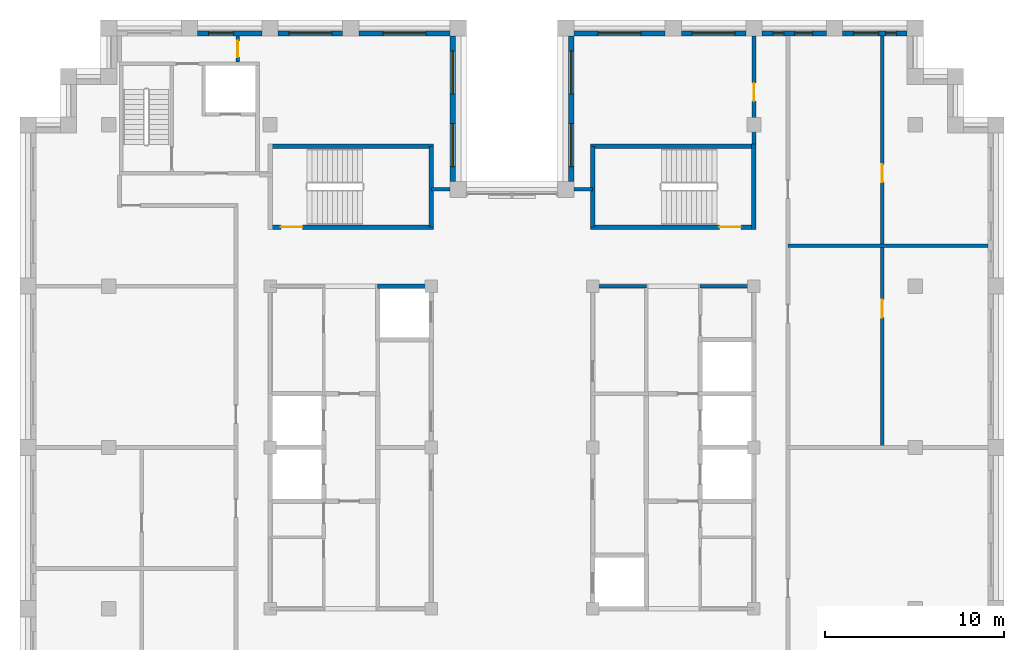
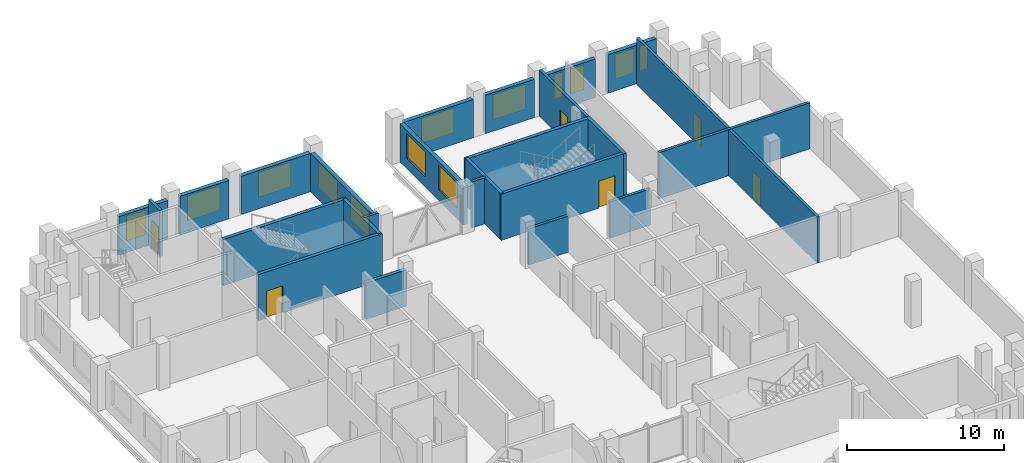
# One storey, part 10 of 13: 25 walls, 13 windows, 6 doors, 19 openings.
"""IFC4 building model written with IfcOpenShell, lengths in metres."""

from ifc_helpers import new_model, si_unit, direction, frame, frame_2d, origin, place, context, subcontext, project, spatial, rectangle, extrude, material, layer, layer_set, type_object, element, fill, save


model = new_model("IFC4")

# Units and contexts
model_context = context("Model", 3, precision=1e-05, world=origin(), true_north=direction((0.0, 1.0)))
body_context = subcontext(model_context, "Body", "Model", "MODEL_VIEW")
ifc_project = project(units=[si_unit("LENGTHUNIT", "METRE"), si_unit("AREAUNIT", "SQUARE_METRE"), si_unit("VOLUMEUNIT", "CUBIC_METRE"), si_unit("PLANEANGLEUNIT", "RADIAN"), si_unit("MASSUNIT", "GRAM", prefix="KILO")], contexts=[model_context])

# Site, building, storey
site_placement = place(None, origin())
site = spatial("IfcSite", under=ifc_project, at=site_placement, CompositionType="ELEMENT")
building_placement = place(site_placement, origin())
building = spatial("IfcBuilding", under=site, at=building_placement, Name="Corbelhall Arena Tower", CompositionType="ELEMENT")
storey_placement = place(building_placement, frame((0.0, 0.0, 316.0)))
storey = spatial("IfcBuildingStorey", under=building, at=storey_placement, Name="L69", CompositionType="ELEMENT", Elevation=316.0)

# Wall, openings, windows
ifc_material_1 = material(Name="Precast concrete C40/50 with granite facing", Category="masonry")
ifc_layer_1 = layer(ifc_material_1, 0.300048828125)
ifc_layer_set_1 = layer_set([ifc_layer_1], Name="EV-IW1 Infill panel 300")
wall_type_1 = type_object("IfcWallType", Name="EV-IW1 Infill panel 300", PredefinedType="SOLIDWALL", material=ifc_layer_set_1)
wall_1_placement = place(storey_placement, frame((22.050048828125, 23.10009765625, 0.0), z_axis=(0.0, 0.0, 1.0), x_axis=(-1.0, 0.0, 0.0)))
wall_1 = element("IfcWall", 1, at=wall_1_placement, inside=storey, type_object=wall_type_1, Name="Infill panel IW1", PredefinedType="SOLIDWALL", context=body_context, shape_type="SweptSolid", body=[
    extrude(rectangle(XDim=3.60009765625, YDim=0.300048828125, at=frame_2d((1.800048828125, 0.0))), origin(), (0.0, 0.0, 1.0), 2.989990234375),
])
opening_1_placement = place(wall_1_placement, frame((0.60009765625, 0.0, 0.800048828125)))
opening_1 = element("IfcOpeningElement", 2, at=opening_1_placement, cuts=wall_1, Name="Opening WN5", PredefinedType="OPENING", context=body_context, shape_type="SweptSolid", body=[
    extrude(rectangle(XDim=0.60009765625, YDim=1.949951171875, at=frame_2d((0.300048828125, 0.97509765625))), frame((0.0, 0.14990234375, 0.0), z_axis=(0.0, -1.0, 0.0), x_axis=(1.0, 0.0, 0.0)), (0.0, 0.0, 1.0), 0.300048828125),
])
opening_2_placement = place(wall_1_placement, frame((1.60009765625, 0.0, 0.800048828125)))
opening_2 = element("IfcOpeningElement", 3, at=opening_2_placement, cuts=wall_1, Name="Opening WN7", PredefinedType="OPENING", context=body_context, shape_type="SweptSolid", body=[
    extrude(rectangle(XDim=1.39990234375, YDim=1.949951171875, at=frame_2d((0.699951171875, 0.97509765625))), frame((0.0, 0.14990234375, 0.0), z_axis=(0.0, -1.0, 0.0), x_axis=(1.0, 0.0, 0.0)), (0.0, 0.0, 1.0), 0.300048828125),
])
ifc_material_2 = material(Name="Aluminium black anodised", Category="aluminium")
window_type_1 = type_object("IfcWindowType", Name="EV-WN5 Office window 600", PartitioningType="SINGLE_PANEL", PredefinedType="WINDOW", material=ifc_material_2)
window_1_placement = place(opening_1_placement, origin())
window_1 = element("IfcWindow", 4, at=window_1_placement, inside=storey, type_object=window_type_1, Name="Window WN5", OverallHeight=1.949951171875, OverallWidth=0.60009765625, PartitioningType="SINGLE_PANEL", PredefinedType="WINDOW", context=body_context, shape_type="SweptSolid", body=[
    extrude(rectangle(XDim=0.60009765625, YDim=1.949951171875, at=frame_2d((0.300048828125, 0.97509765625))), frame((0.0, 0.030029296875, 0.0), z_axis=(0.0, -1.0, 0.0), x_axis=(1.0, 0.0, 0.0)), (0.0, 0.0, 1.0), 0.06005859375),
])
fill(opening_1, window_1)
window_type_2 = type_object("IfcWindowType", Name="EV-WN7 Office window 1400", PartitioningType="SINGLE_PANEL", PredefinedType="WINDOW", material=ifc_material_2)
window_2_placement = place(opening_2_placement, origin())
window_2 = element("IfcWindow", 5, at=window_2_placement, inside=storey, type_object=window_type_2, Name="Window WN7", OverallHeight=1.949951171875, OverallWidth=1.39990234375, PartitioningType="SINGLE_PANEL", PredefinedType="WINDOW", context=body_context, shape_type="SweptSolid", body=[
    extrude(rectangle(XDim=1.39990234375, YDim=1.949951171875, at=frame_2d((0.699951171875, 0.97509765625))), frame((0.0, 0.030029296875, 0.0), z_axis=(0.0, -1.0, 0.0), x_axis=(1.0, 0.0, 0.0)), (0.0, 0.0, 1.0), 0.06005859375),
])
fill(opening_2, window_2)

wall_2_placement = place(storey_placement, frame((17.550048828125, 23.10009765625, 0.0), z_axis=(0.0, 0.0, 1.0), x_axis=(-1.0, 0.0, 0.0)))
wall_2 = element("IfcWall", 6, at=wall_2_placement, inside=storey, type_object=wall_type_1, Name="Infill panel IW1", PredefinedType="SOLIDWALL", context=body_context, shape_type="SweptSolid", body=[
    extrude(rectangle(XDim=3.60009765625, YDim=0.300048828125, at=frame_2d((1.800048828125, 0.0))), origin(), (0.0, 0.0, 1.0), 2.989990234375),
])
opening_3_placement = place(wall_2_placement, frame((0.77490234375, 0.0, 0.800048828125)))
opening_3 = element("IfcOpeningElement", 7, at=opening_3_placement, cuts=wall_2, Name="Opening WN6", PredefinedType="OPENING", context=body_context, shape_type="SweptSolid", body=[
    extrude(rectangle(XDim=1.0, YDim=1.949951171875, at=frame_2d((0.5, 0.97509765625))), frame((0.0, 0.14990234375, 0.0), z_axis=(0.0, -1.0, 0.0), x_axis=(1.0, 0.0, 0.0)), (0.0, 0.0, 1.0), 0.300048828125),
])
opening_4_placement = place(wall_2_placement, frame((2.375, 0.0, 0.800048828125)))
opening_4 = element("IfcOpeningElement", 8, at=opening_4_placement, cuts=wall_2, Name="Opening WN5", PredefinedType="OPENING", context=body_context, shape_type="SweptSolid", body=[
    extrude(rectangle(XDim=0.60009765625, YDim=1.949951171875, at=frame_2d((0.300048828125, 0.97509765625))), frame((0.0, 0.14990234375, 0.0), z_axis=(0.0, -1.0, 0.0), x_axis=(1.0, 0.0, 0.0)), (0.0, 0.0, 1.0), 0.300048828125),
])
window_3_placement = place(opening_4_placement, origin())
window_3 = element("IfcWindow", 9, at=window_3_placement, inside=storey, type_object=window_type_1, Name="Window WN5", OverallHeight=1.949951171875, OverallWidth=0.60009765625, PartitioningType="SINGLE_PANEL", PredefinedType="WINDOW", context=body_context, shape_type="SweptSolid", body=[
    extrude(rectangle(XDim=0.60009765625, YDim=1.949951171875, at=frame_2d((0.300048828125, 0.97509765625))), frame((0.0, 0.030029296875, 0.0), z_axis=(0.0, -1.0, 0.0), x_axis=(1.0, 0.0, 0.0)), (0.0, 0.0, 1.0), 0.06005859375),
])
fill(opening_4, window_3)
window_type_3 = type_object("IfcWindowType", Name="EV-WN6 Office window 1000", PartitioningType="SINGLE_PANEL", PredefinedType="WINDOW", material=ifc_material_2)
window_4_placement = place(opening_3_placement, origin())
window_4 = element("IfcWindow", 10, at=window_4_placement, inside=storey, type_object=window_type_3, Name="Window WN6", OverallHeight=1.949951171875, OverallWidth=1.0, PartitioningType="SINGLE_PANEL", PredefinedType="WINDOW", context=body_context, shape_type="SweptSolid", body=[
    extrude(rectangle(XDim=1.0, YDim=1.949951171875, at=frame_2d((0.5, 0.97509765625))), frame((0.0, 0.030029296875, 0.0), z_axis=(0.0, -1.0, 0.0), x_axis=(1.0, 0.0, 0.0)), (0.0, 0.0, 1.0), 0.06005859375),
])
fill(opening_3, window_4)

# Wall, opening, window
wall_3_placement = place(storey_placement, frame((13.050048828125, 23.10009765625, 0.0), z_axis=(0.0, 0.0, 1.0), x_axis=(-1.0, 0.0, 0.0)))
wall_3 = element("IfcWall", 11, at=wall_3_placement, inside=storey, type_object=wall_type_1, Name="Infill panel IW1", PredefinedType="SOLIDWALL", context=body_context, shape_type="SweptSolid", body=[
    extrude(rectangle(XDim=3.60009765625, YDim=0.300048828125, at=frame_2d((1.800048828125, 0.0))), origin(), (0.0, 0.0, 1.0), 2.989990234375),
])
opening_5_placement = place(wall_3_placement, frame((0.60009765625, 0.0, 0.800048828125)))
opening_5 = element("IfcOpeningElement", 12, at=opening_5_placement, cuts=wall_3, Name="Opening WN1", PredefinedType="OPENING", context=body_context, shape_type="SweptSolid", body=[
    extrude(rectangle(XDim=2.39990234375, YDim=1.949951171875, at=frame_2d((1.199951171875, 0.97509765625))), frame((0.0, 0.14990234375, 0.0), z_axis=(0.0, -1.0, 0.0), x_axis=(1.0, 0.0, 0.0)), (0.0, 0.0, 1.0), 0.300048828125),
])
window_type_4 = type_object("IfcWindowType", Name="EV-WN1 Office window", PartitioningType="SINGLE_PANEL", PredefinedType="WINDOW", material=ifc_material_2)
window_5_placement = place(opening_5_placement, origin())
window_5 = element("IfcWindow", 13, at=window_5_placement, inside=storey, type_object=window_type_4, Name="Window WN1", OverallHeight=1.949951171875, OverallWidth=2.39990234375, PartitioningType="SINGLE_PANEL", PredefinedType="WINDOW", context=body_context, shape_type="SweptSolid", body=[
    extrude(rectangle(XDim=2.39990234375, YDim=1.949951171875, at=frame_2d((1.199951171875, 0.97509765625))), frame((0.0, 0.030029296875, 0.0), z_axis=(0.0, -1.0, 0.0), x_axis=(1.0, 0.0, 0.0)), (0.0, 0.0, 1.0), 0.06005859375),
])
fill(opening_5, window_5)

wall_4_placement = place(storey_placement, frame((8.550048828125, 23.10009765625, 0.0), z_axis=(0.0, 0.0, 1.0), x_axis=(-1.0, 0.0, 0.0)))
wall_4 = element("IfcWall", 14, at=wall_4_placement, inside=storey, type_object=wall_type_1, Name="Infill panel IW1", PredefinedType="SOLIDWALL", context=body_context, shape_type="SweptSolid", body=[
    extrude(rectangle(XDim=5.10009765625, YDim=0.300048828125, at=frame_2d((2.550048828125, 0.0))), origin(), (0.0, 0.0, 1.0), 2.989990234375),
])
opening_6_placement = place(wall_4_placement, frame((1.35009765625, 0.0, 0.800048828125)))
opening_6 = element("IfcOpeningElement", 15, at=opening_6_placement, cuts=wall_4, Name="Opening WN1", PredefinedType="OPENING", context=body_context, shape_type="SweptSolid", body=[
    extrude(rectangle(XDim=2.39990234375, YDim=1.949951171875, at=frame_2d((1.199951171875, 0.97509765625))), frame((0.0, 0.14990234375, 0.0), z_axis=(0.0, -1.0, 0.0), x_axis=(1.0, 0.0, 0.0)), (0.0, 0.0, 1.0), 0.300048828125),
])
window_6_placement = place(opening_6_placement, origin())
window_6 = element("IfcWindow", 16, at=window_6_placement, inside=storey, type_object=window_type_4, Name="Window WN1", OverallHeight=1.949951171875, OverallWidth=2.39990234375, PartitioningType="SINGLE_PANEL", PredefinedType="WINDOW", context=body_context, shape_type="SweptSolid", body=[
    extrude(rectangle(XDim=2.39990234375, YDim=1.949951171875, at=frame_2d((1.199951171875, 0.97509765625))), frame((0.0, 0.030029296875, 0.0), z_axis=(0.0, -1.0, 0.0), x_axis=(1.0, 0.0, 0.0)), (0.0, 0.0, 1.0), 0.06005859375),
])
fill(opening_6, window_6)

# Wall, openings, windows
wall_5_placement = place(storey_placement, frame((3.300048828125, 22.949951171875, 0.0), z_axis=(0.0, 0.0, 1.0), x_axis=(0.0, -1.0, 0.0)))
wall_5 = element("IfcWall", 17, at=wall_5_placement, inside=storey, type_object=wall_type_1, Name="Infill panel IW1", PredefinedType="SOLIDWALL", context=body_context, shape_type="SweptSolid", body=[
    extrude(rectangle(XDim=8.099853515625, YDim=0.300048828125, at=frame_2d((4.0498046875, 0.0))), origin(), (0.0, 0.0, 1.0), 2.989990234375),
])
opening_7_placement = place(wall_5_placement, frame((0.824951171875, 0.0, 0.800048828125)))
opening_7 = element("IfcOpeningElement", 18, at=opening_7_placement, cuts=wall_5, Name="Opening WN1", PredefinedType="OPENING", context=body_context, shape_type="SweptSolid", body=[
    extrude(rectangle(XDim=2.39990234375, YDim=1.949951171875, at=frame_2d((1.199951171875, 0.97509765625))), frame((0.0, 0.14990234375, 0.0), z_axis=(0.0, -1.0, 0.0), x_axis=(1.0, 0.0, 0.0)), (0.0, 0.0, 1.0), 0.300048828125),
])
opening_8_placement = place(wall_5_placement, frame((4.875, 0.0, 0.800048828125)))
opening_8 = element("IfcOpeningElement", 19, at=opening_8_placement, cuts=wall_5, Name="Opening WN1", PredefinedType="OPENING", context=body_context, shape_type="SweptSolid", body=[
    extrude(rectangle(XDim=2.39990234375, YDim=1.949951171875, at=frame_2d((1.199951171875, 0.97509765625))), frame((0.0, 0.14990234375, 0.0), z_axis=(0.0, -1.0, 0.0), x_axis=(1.0, 0.0, 0.0)), (0.0, 0.0, 1.0), 0.300048828125),
])
window_7_placement = place(opening_7_placement, origin())
window_7 = element("IfcWindow", 20, at=window_7_placement, inside=storey, type_object=window_type_4, Name="Window WN1", OverallHeight=1.949951171875, OverallWidth=2.39990234375, PartitioningType="SINGLE_PANEL", PredefinedType="WINDOW", context=body_context, shape_type="SweptSolid", body=[
    extrude(rectangle(XDim=2.39990234375, YDim=1.949951171875, at=frame_2d((1.199951171875, 0.97509765625))), frame((0.0, 0.030029296875, 0.0), z_axis=(0.0, -1.0, 0.0), x_axis=(1.0, 0.0, 0.0)), (0.0, 0.0, 1.0), 0.06005859375),
])
fill(opening_7, window_7)
window_8_placement = place(opening_8_placement, origin())
window_8 = element("IfcWindow", 21, at=window_8_placement, inside=storey, type_object=window_type_4, Name="Window WN1", OverallHeight=1.949951171875, OverallWidth=2.39990234375, PartitioningType="SINGLE_PANEL", PredefinedType="WINDOW", context=body_context, shape_type="SweptSolid", body=[
    extrude(rectangle(XDim=2.39990234375, YDim=1.949951171875, at=frame_2d((1.199951171875, 0.97509765625))), frame((0.0, 0.030029296875, 0.0), z_axis=(0.0, -1.0, 0.0), x_axis=(1.0, 0.0, 0.0)), (0.0, 0.0, 1.0), 0.06005859375),
])
fill(opening_8, window_8)

wall_6_placement = place(storey_placement, frame((-3.300048828125, 14.85009765625, 0.0), z_axis=(0.0, 0.0, 1.0), x_axis=(0.0, 1.0, 0.0)))
wall_6 = element("IfcWall", 22, at=wall_6_placement, inside=storey, type_object=wall_type_1, Name="Infill panel IW1", PredefinedType="SOLIDWALL", context=body_context, shape_type="SweptSolid", body=[
    extrude(rectangle(XDim=8.099853515625, YDim=0.300048828125, at=frame_2d((4.0498046875, 0.0))), origin(), (0.0, 0.0, 1.0), 2.989990234375),
])
opening_9_placement = place(wall_6_placement, frame((0.824951171875, 0.0, 0.800048828125)))
opening_9 = element("IfcOpeningElement", 23, at=opening_9_placement, cuts=wall_6, Name="Opening WN1", PredefinedType="OPENING", context=body_context, shape_type="SweptSolid", body=[
    extrude(rectangle(XDim=2.39990234375, YDim=1.949951171875, at=frame_2d((1.199951171875, 0.97509765625))), frame((0.0, 0.14990234375, 0.0), z_axis=(0.0, -1.0, 0.0), x_axis=(1.0, 0.0, 0.0)), (0.0, 0.0, 1.0), 0.300048828125),
])
opening_10_placement = place(wall_6_placement, frame((4.875, 0.0, 0.800048828125)))
opening_10 = element("IfcOpeningElement", 24, at=opening_10_placement, cuts=wall_6, Name="Opening WN1", PredefinedType="OPENING", context=body_context, shape_type="SweptSolid", body=[
    extrude(rectangle(XDim=2.39990234375, YDim=1.949951171875, at=frame_2d((1.199951171875, 0.97509765625))), frame((0.0, 0.14990234375, 0.0), z_axis=(0.0, -1.0, 0.0), x_axis=(1.0, 0.0, 0.0)), (0.0, 0.0, 1.0), 0.300048828125),
])
window_9_placement = place(opening_9_placement, origin())
window_9 = element("IfcWindow", 25, at=window_9_placement, inside=storey, type_object=window_type_4, Name="Window WN1", OverallHeight=1.949951171875, OverallWidth=2.39990234375, PartitioningType="SINGLE_PANEL", PredefinedType="WINDOW", context=body_context, shape_type="SweptSolid", body=[
    extrude(rectangle(XDim=2.39990234375, YDim=1.949951171875, at=frame_2d((1.199951171875, 0.97509765625))), frame((0.0, 0.030029296875, 0.0), z_axis=(0.0, -1.0, 0.0), x_axis=(1.0, 0.0, 0.0)), (0.0, 0.0, 1.0), 0.06005859375),
])
fill(opening_9, window_9)
window_10_placement = place(opening_10_placement, origin())
window_10 = element("IfcWindow", 26, at=window_10_placement, inside=storey, type_object=window_type_4, Name="Window WN1", OverallHeight=1.949951171875, OverallWidth=2.39990234375, PartitioningType="SINGLE_PANEL", PredefinedType="WINDOW", context=body_context, shape_type="SweptSolid", body=[
    extrude(rectangle(XDim=2.39990234375, YDim=1.949951171875, at=frame_2d((1.199951171875, 0.97509765625))), frame((0.0, 0.030029296875, 0.0), z_axis=(0.0, -1.0, 0.0), x_axis=(1.0, 0.0, 0.0)), (0.0, 0.0, 1.0), 0.06005859375),
])
fill(opening_10, window_10)

# Wall, opening, window
wall_7_placement = place(storey_placement, frame((-3.449951171875, 23.10009765625, 0.0), z_axis=(0.0, 0.0, 1.0), x_axis=(-1.0, 0.0, 0.0)))
wall_7 = element("IfcWall", 27, at=wall_7_placement, inside=storey, type_object=wall_type_1, Name="Infill panel IW1", PredefinedType="SOLIDWALL", context=body_context, shape_type="SweptSolid", body=[
    extrude(rectangle(XDim=5.10009765625, YDim=0.300048828125, at=frame_2d((2.550048828125, 0.0))), origin(), (0.0, 0.0, 1.0), 2.989990234375),
])
opening_11_placement = place(wall_7_placement, frame((1.35009765625, 0.0, 0.800048828125)))
opening_11 = element("IfcOpeningElement", 28, at=opening_11_placement, cuts=wall_7, Name="Opening WN1", PredefinedType="OPENING", context=body_context, shape_type="SweptSolid", body=[
    extrude(rectangle(XDim=2.39990234375, YDim=1.949951171875, at=frame_2d((1.199951171875, 0.97509765625))), frame((0.0, 0.14990234375, 0.0), z_axis=(0.0, -1.0, 0.0), x_axis=(1.0, 0.0, 0.0)), (0.0, 0.0, 1.0), 0.300048828125),
])
window_11_placement = place(opening_11_placement, origin())
window_11 = element("IfcWindow", 29, at=window_11_placement, inside=storey, type_object=window_type_4, Name="Window WN1", OverallHeight=1.949951171875, OverallWidth=2.39990234375, PartitioningType="SINGLE_PANEL", PredefinedType="WINDOW", context=body_context, shape_type="SweptSolid", body=[
    extrude(rectangle(XDim=2.39990234375, YDim=1.949951171875, at=frame_2d((1.199951171875, 0.97509765625))), frame((0.0, 0.030029296875, 0.0), z_axis=(0.0, -1.0, 0.0), x_axis=(1.0, 0.0, 0.0)), (0.0, 0.0, 1.0), 0.06005859375),
])
fill(opening_11, window_11)

wall_8_placement = place(storey_placement, frame((-9.449951171875, 23.10009765625, 0.0), z_axis=(0.0, 0.0, 1.0), x_axis=(-1.0, 0.0, 0.0)))
wall_8 = element("IfcWall", 30, at=wall_8_placement, inside=storey, type_object=wall_type_1, Name="Infill panel IW1", PredefinedType="SOLIDWALL", context=body_context, shape_type="SweptSolid", body=[
    extrude(rectangle(XDim=3.60009765625, YDim=0.300048828125, at=frame_2d((1.800048828125, 0.0))), origin(), (0.0, 0.0, 1.0), 2.989990234375),
])
opening_12_placement = place(wall_8_placement, frame((0.60009765625, 0.0, 0.800048828125)))
opening_12 = element("IfcOpeningElement", 31, at=opening_12_placement, cuts=wall_8, Name="Opening WN1", PredefinedType="OPENING", context=body_context, shape_type="SweptSolid", body=[
    extrude(rectangle(XDim=2.39990234375, YDim=1.949951171875, at=frame_2d((1.199951171875, 0.97509765625))), frame((0.0, 0.14990234375, 0.0), z_axis=(0.0, -1.0, 0.0), x_axis=(1.0, 0.0, 0.0)), (0.0, 0.0, 1.0), 0.300048828125),
])
window_12_placement = place(opening_12_placement, origin())
window_12 = element("IfcWindow", 32, at=window_12_placement, inside=storey, type_object=window_type_4, Name="Window WN1", OverallHeight=1.949951171875, OverallWidth=2.39990234375, PartitioningType="SINGLE_PANEL", PredefinedType="WINDOW", context=body_context, shape_type="SweptSolid", body=[
    extrude(rectangle(XDim=2.39990234375, YDim=1.949951171875, at=frame_2d((1.199951171875, 0.97509765625))), frame((0.0, 0.030029296875, 0.0), z_axis=(0.0, -1.0, 0.0), x_axis=(1.0, 0.0, 0.0)), (0.0, 0.0, 1.0), 0.06005859375),
])
fill(opening_12, window_12)

wall_9_placement = place(storey_placement, frame((-13.949951171875, 23.10009765625, 0.0), z_axis=(0.0, 0.0, 1.0), x_axis=(-1.0, 0.0, 0.0)))
wall_9 = element("IfcWall", 33, at=wall_9_placement, inside=storey, type_object=wall_type_1, Name="Infill panel IW1", PredefinedType="SOLIDWALL", context=body_context, shape_type="SweptSolid", body=[
    extrude(rectangle(XDim=3.60009765625, YDim=0.300048828125, at=frame_2d((1.800048828125, 0.0))), origin(), (0.0, 0.0, 1.0), 2.989990234375),
])
opening_13_placement = place(wall_9_placement, frame((1.574951171875, 0.0, 0.800048828125)))
opening_13 = element("IfcOpeningElement", 34, at=opening_13_placement, cuts=wall_9, Name="Opening WN7", PredefinedType="OPENING", context=body_context, shape_type="SweptSolid", body=[
    extrude(rectangle(XDim=1.39990234375, YDim=1.949951171875, at=frame_2d((0.699951171875, 0.97509765625))), frame((0.0, 0.14990234375, 0.0), z_axis=(0.0, -1.0, 0.0), x_axis=(1.0, 0.0, 0.0)), (0.0, 0.0, 1.0), 0.300048828125),
])
window_13_placement = place(opening_13_placement, origin())
window_13 = element("IfcWindow", 35, at=window_13_placement, inside=storey, type_object=window_type_2, Name="Window WN7", OverallHeight=1.949951171875, OverallWidth=1.39990234375, PartitioningType="SINGLE_PANEL", PredefinedType="WINDOW", context=body_context, shape_type="SweptSolid", body=[
    extrude(rectangle(XDim=1.39990234375, YDim=1.949951171875, at=frame_2d((0.699951171875, 0.97509765625))), frame((0.0, 0.030029296875, 0.0), z_axis=(0.0, -1.0, 0.0), x_axis=(1.0, 0.0, 0.0)), (0.0, 0.0, 1.0), 0.06005859375),
])
fill(opening_13, window_13)

# Wall, opening, door
ifc_material_3 = material(Name="Gypsum board on steel stud, acoustic", Category="steel")
ifc_layer_2 = layer(ifc_material_3, 0.199951171875)
ifc_layer_set_2 = layer_set([ifc_layer_2], Name="IN-W-DM200")
wall_type_2 = type_object("IfcWallType", Name="IN-W-DM200", PredefinedType="PARTITIONING", material=ifc_layer_set_2)
wall_10_placement = place(storey_placement, frame((-15.300048828125, 22.949951171875, 0.0), z_axis=(0.0, 0.0, 1.0), x_axis=(0.0, -1.0, 0.0)))
wall_10 = element("IfcWall", 36, at=wall_10_placement, inside=storey, type_object=wall_type_2, Name="Partition 009", PredefinedType="PARTITIONING", context=body_context, shape_type="SweptSolid", body=[
    extrude(rectangle(XDim=1.449951171875, YDim=0.199951171875, at=frame_2d((0.72509765625, 0.0))), origin(), (0.0, 0.0, 1.0), 3.590087890625),
])
opening_14_placement = place(wall_10_placement, frame((0.27001953125, 0.0, 0.0)))
opening_14 = element("IfcOpeningElement", 37, at=opening_14_placement, cuts=wall_10, Name="Opening 22034", PredefinedType="OPENING", context=body_context, shape_type="SweptSolid", body=[
    extrude(rectangle(XDim=0.89990234375, YDim=2.10009765625, at=frame_2d((0.449951171875, 1.050048828125))), frame((0.0, 0.10009765625, 0.0), z_axis=(0.0, -1.0, 0.0), x_axis=(1.0, 0.0, 0.0)), (0.0, 0.0, 1.0), 0.199951171875),
])
ifc_material_4 = material(Name="Timber door set", Category="wood")
door_type_1 = type_object("IfcDoorType", Name="IN-D-SW90", OperationType="NOTDEFINED", PredefinedType="DOOR", material=ifc_material_4)
door_1_placement = place(opening_14_placement, origin())
door_1 = element("IfcDoor", 38, at=door_1_placement, inside=storey, type_object=door_type_1, Name="Door 034", OperationType="SINGLE_SWING_LEFT", OverallHeight=2.10009765625, OverallWidth=0.89990234375, PredefinedType="DOOR", context=body_context, shape_type="SweptSolid", body=[
    extrude(rectangle(XDim=0.89990234375, YDim=2.10009765625, at=frame_2d((0.449951171875, 1.050048828125))), frame((0.0, 0.02490234375, 0.0), z_axis=(0.0, -1.0, 0.0), x_axis=(1.0, 0.0, 0.0)), (0.0, 0.0, 1.0), 0.050048828125),
])
fill(opening_14, door_1)

# Walls
for number, where, z_axis, x_axis, name in (
    (39, (-4.5, 14.39990234375, 0.0), (0.0, 0.0, 1.0), (1.0, 0.0, 0.0), "Partition 012"),
    (40, (3.449951171875, 14.39990234375, 0.0), (0.0, 0.0, 1.0), (1.0, 0.0, 0.0), "Partition 014"),
):
    element("IfcWall", number, at=place(storey_placement, frame(where, z_axis=z_axis, x_axis=x_axis)), inside=storey, type_object=wall_type_2, Name=name, PredefinedType="PARTITIONING", context=body_context, shape_type="SweptSolid", body=[
        extrude(rectangle(XDim=1.050048828125, YDim=0.199951171875, at=frame_2d((0.52490234375, 0.0))), origin(), (0.0, 0.0, 1.0), 3.590087890625),
    ])

# Wall, opening, door
wall_11_placement = place(storey_placement, frame((13.5, 16.675048828125, 0.0), z_axis=(0.0, 0.0, 1.0), x_axis=(0.0, 1.0, 0.0)))
wall_11 = element("IfcWall", 41, at=wall_11_placement, inside=storey, type_object=wall_type_2, Name="Partition 017", PredefinedType="PARTITIONING", context=body_context, shape_type="SweptSolid", body=[
    extrude(rectangle(XDim=6.27490234375, YDim=0.199951171875, at=frame_2d((3.137451171875, 0.0))), origin(), (0.0, 0.0, 1.0), 3.590087890625),
])
opening_15_placement = place(wall_11_placement, frame((2.64990234375, 0.0, 0.0)))
opening_15 = element("IfcOpeningElement", 42, at=opening_15_placement, cuts=wall_11, Name="Opening 22018", PredefinedType="OPENING", context=body_context, shape_type="SweptSolid", body=[
    extrude(rectangle(XDim=1.0, YDim=2.10009765625, at=frame_2d((0.5, 1.050048828125))), frame((0.0, 0.10009765625, 0.0), z_axis=(0.0, -1.0, 0.0), x_axis=(1.0, 0.0, 0.0)), (0.0, 0.0, 1.0), 0.199951171875),
])
ifc_material_5 = material(Name="Steel door set", Category="steel")
door_type_2 = type_object("IfcDoorType", Name="IN-D-SW100", OperationType="NOTDEFINED", PredefinedType="DOOR", material=ifc_material_5)
door_2_placement = place(opening_15_placement, origin())
door_2 = element("IfcDoor", 43, at=door_2_placement, inside=storey, type_object=door_type_2, Name="Door 018", OperationType="SINGLE_SWING_LEFT", OverallHeight=2.10009765625, OverallWidth=1.0, PredefinedType="DOOR", context=body_context, shape_type="SweptSolid", body=[
    extrude(rectangle(XDim=1.0, YDim=2.10009765625, at=frame_2d((0.5, 1.050048828125))), frame((0.0, 0.02490234375, 0.0), z_axis=(0.0, -1.0, 0.0), x_axis=(1.0, 0.0, 0.0)), (0.0, 0.0, 1.0), 0.050048828125),
])
fill(opening_15, door_2)

# Wall
wall_12_placement = place(storey_placement, frame((15.39990234375, 11.25, 0.0), z_axis=(0.0, 0.0, 1.0), x_axis=(1.0, 0.0, 0.0)))
element("IfcWall", 44, at=wall_12_placement, inside=storey, type_object=wall_type_2, Name="Partition 020", PredefinedType="PARTITIONING", context=body_context, shape_type="SweptSolid", body=[
    extrude(rectangle(XDim=11.150146484375, YDim=0.199951171875, at=frame_2d((5.5751953125, 0.0))), origin(), (0.0, 0.0, 1.0), 3.590087890625),
])

# Wall, openings, doors
wall_13_placement = place(storey_placement, frame((20.64990234375, 22.949951171875, 0.0), z_axis=(0.0, 0.0, 1.0), x_axis=(0.0, -1.0, 0.0)))
wall_13 = element("IfcWall", 45, at=wall_13_placement, inside=storey, type_object=wall_type_2, Name="Partition 023", PredefinedType="PARTITIONING", context=body_context, shape_type="SweptSolid", body=[
    extrude(rectangle(XDim=23.050048828125, YDim=0.199951171875, at=frame_2d((11.52490234375, 0.0))), origin(), (0.0, 0.0, 1.0), 3.590087890625),
])
opening_16_placement = place(wall_13_placement, frame((14.699951171875, 0.0, 0.0)))
opening_16 = element("IfcOpeningElement", 46, at=opening_16_placement, cuts=wall_13, Name="Opening 22028", PredefinedType="OPENING", context=body_context, shape_type="SweptSolid", body=[
    extrude(rectangle(XDim=1.0, YDim=2.10009765625, at=frame_2d((0.5, 1.050048828125))), frame((0.0, 0.10009765625, 0.0), z_axis=(0.0, -1.0, 0.0), x_axis=(1.0, 0.0, 0.0)), (0.0, 0.0, 1.0), 0.199951171875),
])
opening_17_placement = place(wall_13_placement, frame((7.14990234375, 0.0, 0.0)))
opening_17 = element("IfcOpeningElement", 47, at=opening_17_placement, cuts=wall_13, Name="Opening 22030", PredefinedType="OPENING", context=body_context, shape_type="SweptSolid", body=[
    extrude(rectangle(XDim=1.0, YDim=2.10009765625, at=frame_2d((0.5, 1.050048828125))), frame((0.0, 0.10009765625, 0.0), z_axis=(0.0, -1.0, 0.0), x_axis=(1.0, 0.0, 0.0)), (0.0, 0.0, 1.0), 0.199951171875),
])
door_3_placement = place(opening_16_placement, origin())
door_3 = element("IfcDoor", 48, at=door_3_placement, inside=storey, type_object=door_type_2, Name="Door 028", OperationType="SINGLE_SWING_LEFT", OverallHeight=2.10009765625, OverallWidth=1.0, PredefinedType="DOOR", context=body_context, shape_type="SweptSolid", body=[
    extrude(rectangle(XDim=1.0, YDim=2.10009765625, at=frame_2d((0.5, 1.050048828125))), frame((0.0, 0.02490234375, 0.0), z_axis=(0.0, -1.0, 0.0), x_axis=(1.0, 0.0, 0.0)), (0.0, 0.0, 1.0), 0.050048828125),
])
fill(opening_16, door_3)
door_4_placement = place(opening_17_placement, origin())
door_4 = element("IfcDoor", 49, at=door_4_placement, inside=storey, type_object=door_type_2, Name="Door 030", OperationType="SINGLE_SWING_LEFT", OverallHeight=2.10009765625, OverallWidth=1.0, PredefinedType="DOOR", context=body_context, shape_type="SweptSolid", body=[
    extrude(rectangle(XDim=1.0, YDim=2.10009765625, at=frame_2d((0.5, 1.050048828125))), frame((0.0, 0.02490234375, 0.0), z_axis=(0.0, -1.0, 0.0), x_axis=(1.0, 0.0, 0.0)), (0.0, 0.0, 1.0), 0.050048828125),
])
fill(opening_17, door_4)

# Walls
ifc_material_6 = material(Name="Concrete block wall", Category="concrete")
ifc_layer_3 = layer(ifc_material_6, 0.199951171875)
ifc_layer_set_3 = layer_set([ifc_layer_3], Name="IN-W-RS200 under beam 762 mm")
wall_type_3 = type_object("IfcWallType", Name="IN-W-RS200 under beam 762 mm", PredefinedType="SOLIDWALL", material=ifc_layer_set_3)
for number, where, z_axis, x_axis, name in (
    (50, (4.5, 9.0, 0.0), (0.0, 0.0, 1.0), (1.0, 0.0, 0.0), "Partition 033"),
    (51, (10.5, 9.0, 0.0), (0.0, 0.0, 1.0), (1.0, 0.0, 0.0), "Partition 037"),
):
    element("IfcWall", number, at=place(storey_placement, frame(where, z_axis=z_axis, x_axis=x_axis)), inside=storey, type_object=wall_type_3, Name=name, PredefinedType="SOLIDWALL", context=body_context, shape_type="SweptSolid", body=[
        extrude(rectangle(XDim=3.0, YDim=0.199951171875, at=frame_2d((1.5, 0.0))), origin(), (0.0, 0.0, 1.0), 2.827880859375),
    ])
ifc_material_7 = material(Name="Concrete C40/50", Category="concrete")
ifc_layer_4 = layer(ifc_material_7, 0.25)
ifc_layer_set_4 = layer_set([ifc_layer_4], Name="IN-W-SH250 under beam 762 mm")
wall_type_4 = type_object("IfcWallType", Name="IN-W-SH250 under beam 762 mm", PredefinedType="SOLIDWALL", material=ifc_layer_set_4)
wall_14_placement = place(storey_placement, frame((-7.5, 9.0, 0.0), z_axis=(0.0, 0.0, 1.0), x_axis=(1.0, 0.0, 0.0)))
element("IfcWall", 52, at=wall_14_placement, inside=storey, type_object=wall_type_4, Name="Shaft wall 049", PredefinedType="SOLIDWALL", context=body_context, shape_type="SweptSolid", body=[
    extrude(rectangle(XDim=3.0, YDim=0.25, at=frame_2d((1.5, 0.0))), origin(), (0.0, 0.0, 1.0), 2.827880859375),
])

# Wall, opening, door
ifc_layer_5 = layer(ifc_material_7, 0.25)
ifc_layer_set_5 = layer_set([ifc_layer_5], Name="IN-W-ST250")
wall_type_5 = type_object("IfcWallType", Name="IN-W-ST250", PredefinedType="SOLIDWALL", material=ifc_layer_set_5)
wall_15_placement = place(storey_placement, frame((-13.5, 12.300048828125, 0.0), z_axis=(0.0, 0.0, 1.0), x_axis=(1.0, 0.0, 0.0)))
wall_15 = element("IfcWall", 53, at=wall_15_placement, inside=storey, type_object=wall_type_5, Name="Shaft wall 063", PredefinedType="SOLIDWALL", context=body_context, shape_type="SweptSolid", body=[
    extrude(rectangle(XDim=9.125, YDim=0.25, at=frame_2d((4.5625, 0.0))), origin(), (0.0, 0.0, 1.0), 3.590087890625),
])
opening_18_placement = place(wall_15_placement, frame((0.60009765625, 0.0, 0.0)))
opening_18 = element("IfcOpeningElement", 54, at=opening_18_placement, cuts=wall_15, Name="Opening 22014", PredefinedType="OPENING", context=body_context, shape_type="SweptSolid", body=[
    extrude(rectangle(XDim=1.199951171875, YDim=2.10009765625, at=frame_2d((0.60009765625, 1.050048828125))), frame((0.0, 0.125, 0.0), z_axis=(0.0, -1.0, 0.0), x_axis=(1.0, 0.0, 0.0)), (0.0, 0.0, 1.0), 0.25),
])
door_type_3 = type_object("IfcDoorType", Name="IN-D-ST120", OperationType="NOTDEFINED", PredefinedType="DOOR", material=ifc_material_5)
door_5_placement = place(opening_18_placement, origin())
door_5 = element("IfcDoor", 55, at=door_5_placement, inside=storey, type_object=door_type_3, Name="Door 014", OperationType="SINGLE_SWING_LEFT", OverallHeight=2.10009765625, OverallWidth=1.199951171875, PredefinedType="DOOR", context=body_context, shape_type="SweptSolid", body=[
    extrude(rectangle(XDim=1.199951171875, YDim=2.10009765625, at=frame_2d((0.60009765625, 1.050048828125))), frame((0.0, 0.02490234375, 0.0), z_axis=(0.0, -1.0, 0.0), x_axis=(1.0, 0.0, 0.0)), (0.0, 0.0, 1.0), 0.050048828125),
])
fill(opening_18, door_5)

# Walls
wall_16_placement = place(storey_placement, frame((-13.5, 16.800048828125, 0.0), z_axis=(0.0, 0.0, 1.0), x_axis=(1.0, 0.0, 0.0)))
element("IfcWall", 56, at=wall_16_placement, inside=storey, type_object=wall_type_5, Name="Shaft wall 065", PredefinedType="SOLIDWALL", context=body_context, shape_type="SweptSolid", body=[
    extrude(rectangle(XDim=9.125, YDim=0.25, at=frame_2d((4.5625, 0.0))), origin(), (0.0, 0.0, 1.0), 3.590087890625),
])
wall_17_placement = place(storey_placement, frame((-4.5, 16.800048828125, 0.0), z_axis=(0.0, 0.0, 1.0), x_axis=(0.0, -1.0, 0.0)))
element("IfcWall", 57, at=wall_17_placement, inside=storey, type_object=wall_type_5, Name="Shaft wall 068", PredefinedType="SOLIDWALL", context=body_context, shape_type="SweptSolid", body=[
    extrude(rectangle(XDim=4.5, YDim=0.25, at=frame_2d((2.25, 0.0))), origin(), (0.0, 0.0, 1.0), 3.590087890625),
])

# Wall, opening, door
wall_18_placement = place(storey_placement, frame((4.375, 12.300048828125, 0.0), z_axis=(0.0, 0.0, 1.0), x_axis=(1.0, 0.0, 0.0)))
wall_18 = element("IfcWall", 58, at=wall_18_placement, inside=storey, type_object=wall_type_5, Name="Shaft wall 070", PredefinedType="SOLIDWALL", context=body_context, shape_type="SweptSolid", body=[
    extrude(rectangle(XDim=9.125, YDim=0.25, at=frame_2d((4.5625, 0.0))), origin(), (0.0, 0.0, 1.0), 3.590087890625),
])
opening_19_placement = place(wall_18_placement, frame((7.199951171875, 0.0, 0.0)))
opening_19 = element("IfcOpeningElement", 59, at=opening_19_placement, cuts=wall_18, Name="Opening 22016", PredefinedType="OPENING", context=body_context, shape_type="SweptSolid", body=[
    extrude(rectangle(XDim=1.199951171875, YDim=2.10009765625, at=frame_2d((0.60009765625, 1.050048828125))), frame((0.0, 0.125, 0.0), z_axis=(0.0, -1.0, 0.0), x_axis=(1.0, 0.0, 0.0)), (0.0, 0.0, 1.0), 0.25),
])
door_6_placement = place(opening_19_placement, origin())
door_6 = element("IfcDoor", 60, at=door_6_placement, inside=storey, type_object=door_type_3, Name="Door 016", OperationType="SINGLE_SWING_LEFT", OverallHeight=2.10009765625, OverallWidth=1.199951171875, PredefinedType="DOOR", context=body_context, shape_type="SweptSolid", body=[
    extrude(rectangle(XDim=1.199951171875, YDim=2.10009765625, at=frame_2d((0.60009765625, 1.050048828125))), frame((0.0, 0.02490234375, 0.0), z_axis=(0.0, -1.0, 0.0), x_axis=(1.0, 0.0, 0.0)), (0.0, 0.0, 1.0), 0.050048828125),
])
fill(opening_19, door_6)

# Walls
wall_19_placement = place(storey_placement, frame((4.375, 16.800048828125, 0.0), z_axis=(0.0, 0.0, 1.0), x_axis=(1.0, 0.0, 0.0)))
element("IfcWall", 61, at=wall_19_placement, inside=storey, type_object=wall_type_5, Name="Shaft wall 071", PredefinedType="SOLIDWALL", context=body_context, shape_type="SweptSolid", body=[
    extrude(rectangle(XDim=9.125, YDim=0.25, at=frame_2d((4.5625, 0.0))), origin(), (0.0, 0.0, 1.0), 3.590087890625),
])
wall_20_placement = place(storey_placement, frame((4.5, 12.300048828125, 0.0), z_axis=(0.0, 0.0, 1.0), x_axis=(0.0, 1.0, 0.0)))
element("IfcWall", 62, at=wall_20_placement, inside=storey, type_object=wall_type_5, Name="Shaft wall 073", PredefinedType="SOLIDWALL", context=body_context, shape_type="SweptSolid", body=[
    extrude(rectangle(XDim=4.5, YDim=0.25, at=frame_2d((2.25, 0.0))), origin(), (0.0, 0.0, 1.0), 3.590087890625),
])
wall_21_placement = place(storey_placement, frame((13.5, 12.175048828125, 0.0), z_axis=(0.0, 0.0, 1.0), x_axis=(0.0, 1.0, 0.0)))
element("IfcWall", 63, at=wall_21_placement, inside=storey, type_object=wall_type_5, Name="Shaft wall 077", PredefinedType="SOLIDWALL", context=body_context, shape_type="SweptSolid", body=[
    extrude(rectangle(XDim=4.75, YDim=0.25, at=frame_2d((2.375, 0.0))), origin(), (0.0, 0.0, 1.0), 3.590087890625),
])

save(model, "model.ifc")
